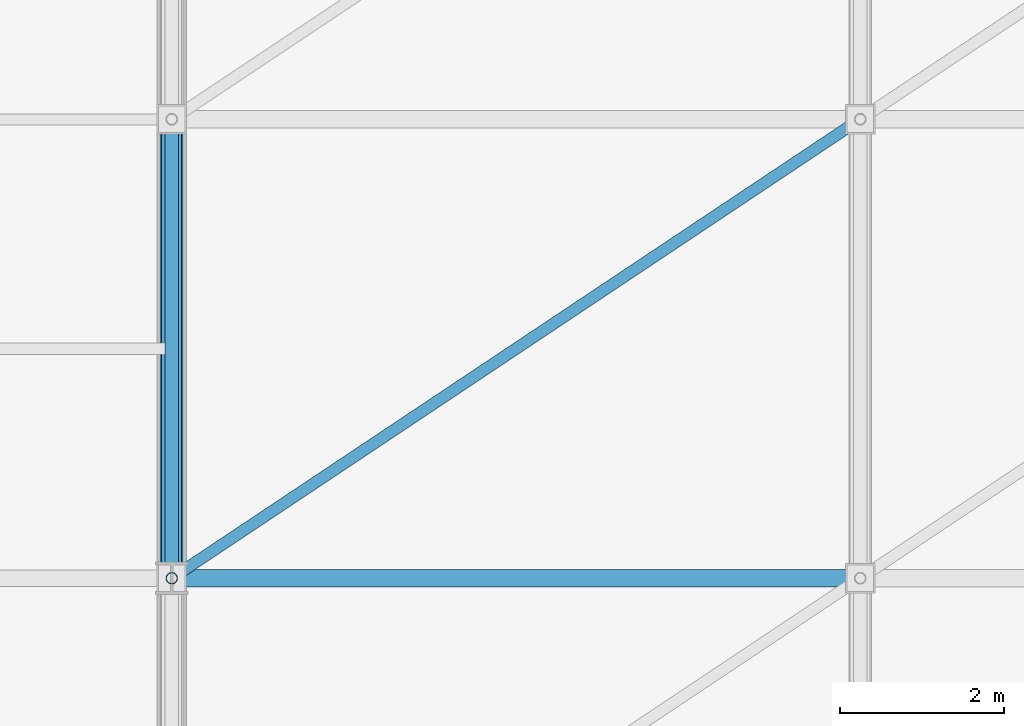
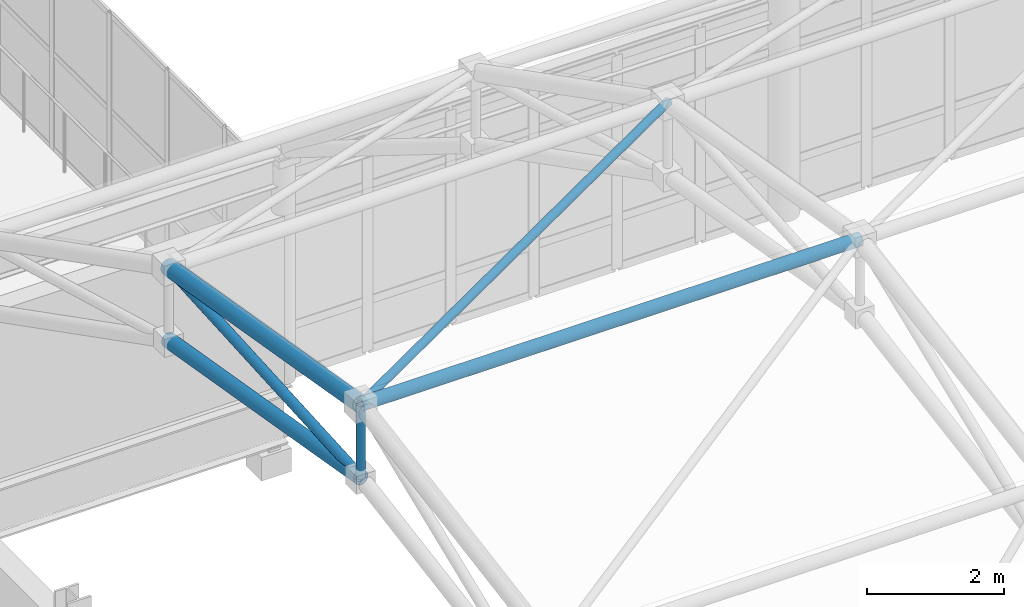
# One storey, part 39 of 184: 6 members.
"""IFC4 building model written with IfcOpenShell, lengths in metres."""

from ifc_helpers import new_model, si_unit, direction, frame, origin, origin_2d, place, context, subcontext, project, spatial, hollow_circle, extrude, material, material_profile, profile_set, type_object, element, save


model = new_model("IFC4")

# Units and contexts
model_context = context("Model", 3, precision=1e-05, world=origin(), true_north=direction((0.0, 1.0)))
body_context = subcontext(model_context, "Body", "Model", "MODEL_VIEW")
ifc_project = project(units=[si_unit("LENGTHUNIT", "METRE"), si_unit("AREAUNIT", "SQUARE_METRE"), si_unit("VOLUMEUNIT", "CUBIC_METRE"), si_unit("PLANEANGLEUNIT", "RADIAN"), si_unit("MASSUNIT", "GRAM", prefix="KILO")], contexts=[model_context])

# Site, building, storey
site_placement = place(None, origin())
site = spatial("IfcSite", under=ifc_project, at=site_placement, CompositionType="ELEMENT")
building_placement = place(site_placement, origin())
building = spatial("IfcBuilding", under=site, at=building_placement, Name="Qalvenar Corner Mobility Hub", CompositionType="ELEMENT")
storey_placement = place(building_placement, frame((0.0, 0.0, 9.0)))
storey = spatial("IfcBuildingStorey", under=building, at=storey_placement, Name="L02", CompositionType="ELEMENT", Elevation=9.0)

# Members
ifc_material = material(Name="Steel S355", Category="steel")
ifc_material_profile_1 = material_profile(ifc_material, hollow_circle(Radius=0.109619140625, WallThickness=0.008056640625, at=origin_2d()), Name="CHS219.1x8")
ifc_profile_set_1 = profile_set([ifc_material_profile_1], Name="Steel S355")
member_type_1 = type_object("IfcMemberType", Name="SF-CHD219", PredefinedType="CHORD", material=ifc_profile_set_1)
member_1_placement = place(storey_placement, frame((50.39990234375, 16.800048828125, 12.659912109375), z_axis=(1.0, 0.0, 0.0), x_axis=(0.0, 1.0, 0.0)))
element("IfcMember", 1, at=member_1_placement, inside=storey, type_object=member_type_1, Name="Space Frame Longitudinal Chord SFL-0171", PredefinedType="CHORD", context=body_context, shape_type="SweptSolid", body=[
    extrude(hollow_circle(Radius=0.109619140625, WallThickness=0.008056640625, at=origin_2d()), origin(), (0.0, 0.0, 1.0), 8.400146484375),
])
ifc_material_profile_2 = material_profile(ifc_material, hollow_circle(Radius=0.122314453125, WallThickness=0.0087890625, at=origin_2d()), Name="CHS244.5x8.8")
ifc_profile_set_2 = profile_set([ifc_material_profile_2], Name="Steel S355")
member_type_2 = type_object("IfcMemberType", Name="SF-CHD244", PredefinedType="CHORD", material=ifc_profile_set_2)
member_2_placement = place(storey_placement, frame((50.39990234375, 16.800048828125, 11.360107421875), z_axis=(0.0, 0.985744075738, -0.168251648276), x_axis=(-1.0, 0.0, 0.0)))
element("IfcMember", 2, at=member_2_placement, inside=storey, type_object=member_type_2, Name="Space Frame Bottom Chord SFBC-0010", PredefinedType="CHORD", context=body_context, shape_type="SweptSolid", body=[
    extrude(hollow_circle(Radius=0.122314453125, WallThickness=0.0087890625, at=origin_2d()), origin(), (0.0, 0.0, 1.0), 5.680908203125),
])
ifc_material_profile_3 = material_profile(ifc_material, hollow_circle(Radius=0.136474609375, WallThickness=0.010009765625, at=origin_2d()), Name="CHS273x10")
ifc_profile_set_3 = profile_set([ifc_material_profile_3], Name="Steel S355")
member_type_3 = type_object("IfcMemberType", Name="SF-CHD273", PredefinedType="CHORD", material=ifc_profile_set_3)
member_3_placement = place(storey_placement, frame((50.39990234375, 16.800048828125, 12.659912109375), z_axis=(0.0, 0.985751202632, -0.168209888264), x_axis=(-1.0, 0.0, 0.0)))
element("IfcMember", 3, at=member_3_placement, inside=storey, type_object=member_type_3, Name="Space Frame Top Chord SFTC-0009", PredefinedType="CHORD", context=body_context, shape_type="SweptSolid", body=[
    extrude(hollow_circle(Radius=0.136474609375, WallThickness=0.010009765625, at=origin_2d()), origin(), (0.0, 0.0, 1.0), 5.680908203125),
])
ifc_material_profile_4 = material_profile(ifc_material, hollow_circle(Radius=0.06982421875, WallThickness=0.0048828125, at=origin_2d()), Name="CHS139.7x5")
ifc_profile_set_4 = profile_set([ifc_material_profile_4], Name="Steel S355")
member_type_4 = type_object("IfcMemberType", Name="SF-STR139", PredefinedType="STRUT", material=ifc_profile_set_4)
member_4_placement = place(storey_placement, frame((50.39990234375, 16.800048828125, 11.360107421875), z_axis=(0.0, 0.0, 1.0), x_axis=(1.0, 0.0, 0.0)))
element("IfcMember", 4, at=member_4_placement, inside=storey, type_object=member_type_4, Name="Space Frame King Strut SFV-0019", PredefinedType="STRUT", context=body_context, shape_type="SweptSolid", body=[
    extrude(hollow_circle(Radius=0.06982421875, WallThickness=0.0048828125, at=origin_2d()), origin(), (0.0, 0.0, 1.0), 1.2998046875),
])
member_5_placement = place(storey_placement, frame((50.39990234375, 16.800048828125, 12.659912109375), z_axis=(0.828359100752, 0.552215325194, -0.094230753054), x_axis=(-0.554683454097, 0.832061455513, 0.0)))
element("IfcMember", 5, at=member_5_placement, inside=storey, type_object=member_type_4, Name="Space Frame Plan Strut SFP-0177", PredefinedType="STRUT", context=body_context, shape_type="SweptSolid", body=[
    extrude(hollow_circle(Radius=0.06982421875, WallThickness=0.0048828125, at=origin_2d()), origin(), (0.0, 0.0, 1.0), 10.140625),
])
ifc_material_profile_5 = material_profile(ifc_material, hollow_circle(Radius=0.084228515625, WallThickness=0.00634765625, at=origin_2d()), Name="CHS168.3x6.3")
ifc_profile_set_5 = profile_set([ifc_material_profile_5], Name="Steel S355")
member_type_5 = type_object("IfcMemberType", Name="SF-STR168", PredefinedType="STRUT", material=ifc_profile_set_5)
member_6_placement = place(storey_placement, frame((50.39990234375, 16.800048828125, 11.360107421875), z_axis=(0.0, 0.998115889969, 0.061356908264), x_axis=(-1.0, 0.0, 0.0)))
element("IfcMember", 6, at=member_6_placement, inside=storey, type_object=member_type_5, Name="Space Frame Web Strut SFD-0011", PredefinedType="STRUT", context=body_context, shape_type="SweptSolid", body=[
    extrude(hollow_circle(Radius=0.084228515625, WallThickness=0.00634765625, at=origin_2d()), origin(), (0.0, 0.0, 1.0), 5.6103515625),
])

save(model, "model.ifc")
